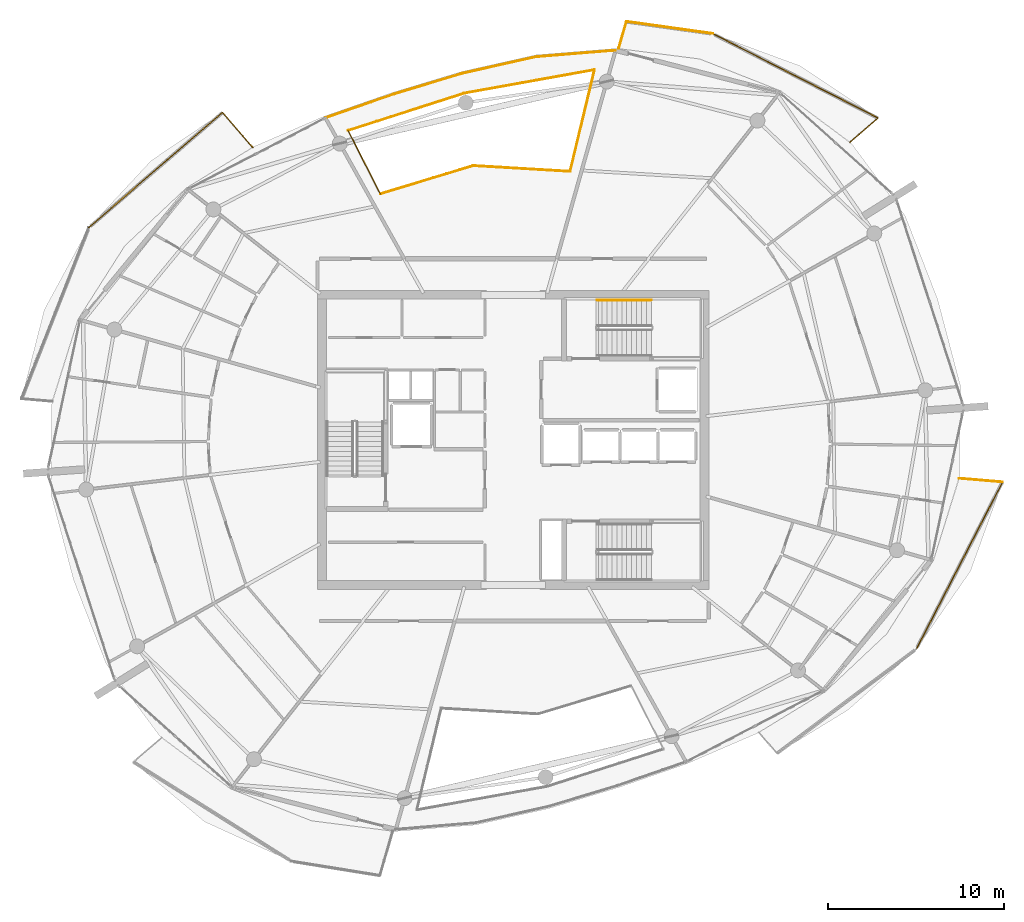
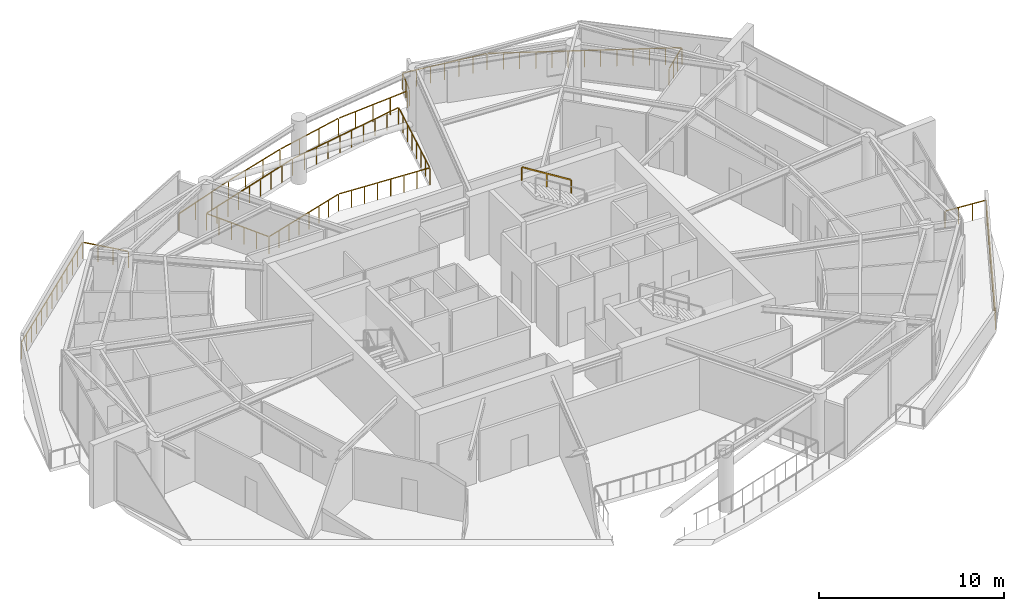
# One storey, part 22 of 22: 16 railings.
"""IFC4 building model written with IfcOpenShell, lengths in metres."""

from ifc_helpers import new_model, si_unit, direction, frame, origin, origin_2d, place, context, subcontext, project, spatial, rectangle, extrude, material, type_object, element, save


model = new_model("IFC4")

# Units and contexts
model_context = context("Model", 3, precision=1e-05, world=origin(), true_north=direction((0.0, 1.0)))
body_context = subcontext(model_context, "Body", "Model", "MODEL_VIEW")
ifc_project = project(units=[si_unit("LENGTHUNIT", "METRE"), si_unit("AREAUNIT", "SQUARE_METRE"), si_unit("VOLUMEUNIT", "CUBIC_METRE"), si_unit("PLANEANGLEUNIT", "RADIAN"), si_unit("MASSUNIT", "GRAM", prefix="KILO")], contexts=[model_context])

# Site, building, storey
site_placement = place(None, origin())
site = spatial("IfcSite", under=ifc_project, at=site_placement, CompositionType="ELEMENT")
building_placement = place(site_placement, origin())
building = spatial("IfcBuilding", under=site, at=building_placement, Name="Kazma Halo Residences", CompositionType="ELEMENT")
storey_placement = place(building_placement, frame((0.0, 0.0, 334.699951171875)))
storey = spatial("IfcBuildingStorey", under=building, at=storey_placement, Name="L84", CompositionType="ELEMENT", Elevation=334.699951171875)

# Railings
ifc_material_1 = material(Name="Aluminium AW-6063 T6 Brushed Cap Rail", Category="aluminium")
railing_type_1 = type_object("IfcRailingType", Name="RLG-BAL-CAP-1120", PredefinedType="BALUSTRADE", material=ifc_material_1)
railing_1_placement = place(storey_placement, frame((67.578369140625, 58.929443359375, 0.0)))
element("IfcRailing", 1, at=railing_1_placement, inside=storey, type_object=railing_type_1, Name="L84 NE wave balcony guard 1", PredefinedType="BALUSTRADE", context=body_context, shape_type="SweptSolid", body=[
    extrude(rectangle(XDim=0.050048828125, YDim=0.050048828125, at=origin_2d()), frame((0.0322265625, 0.02783203125, 1.09521484375), z_axis=(0.756445254741, 0.654057013248, 0.0), x_axis=(-0.654057013248, 0.756445254741, 0.0)), (0.0, 0.0, 1.0), 2.022705078125),
    extrude(rectangle(XDim=0.0400390625, YDim=0.0400390625, at=origin_2d()), origin(), (0.0, 0.0, 1.0), 1.05810546875),
    extrude(rectangle(XDim=0.0400390625, YDim=0.0400390625, at=origin_2d()), frame((0.531494140625, 0.45947265625, 0.0)), (0.0, 0.0, 1.0), 1.05810546875),
    extrude(rectangle(XDim=0.0400390625, YDim=0.0400390625, at=origin_2d()), frame((1.06298828125, 0.919189453125, 0.0)), (0.0, 0.0, 1.0), 1.05810546875),
    extrude(rectangle(XDim=0.0400390625, YDim=0.0400390625, at=origin_2d()), frame((1.594482421875, 1.378662109375, 0.0)), (0.0, 0.0, 1.0), 1.05810546875),
])
railing_2_placement = place(storey_placement, frame((69.1728515625, 60.30810546875, 0.0)))
element("IfcRailing", 2, at=railing_2_placement, inside=storey, type_object=railing_type_1, Name="L84 NE wave balcony guard 2", PredefinedType="BALUSTRADE", context=body_context, shape_type="SweptSolid", body=[
    extrude(rectangle(XDim=0.050048828125, YDim=0.050048828125, at=origin_2d()), frame((-0.037841796875, 0.019287109375, 1.09521484375), z_axis=(-0.890671641326, 0.45464714597, 0.0), x_axis=(-0.45464714597, -0.890671641326, 0.0)), (0.0, 0.0, 1.0), 10.46826171875),
    extrude(rectangle(XDim=0.0400390625, YDim=0.0400390625, at=origin_2d()), origin(), (0.0, 0.0, 1.0), 1.05810546875),
    extrude(rectangle(XDim=0.0400390625, YDim=0.0400390625, at=origin_2d()), frame((-0.783203125, 0.39990234375, 0.0)), (0.0, 0.0, 1.0), 1.05810546875),
    extrude(rectangle(XDim=0.0400390625, YDim=0.0400390625, at=origin_2d()), frame((-1.566650390625, 0.7998046875, 0.0)), (0.0, 0.0, 1.0), 1.05810546875),
    extrude(rectangle(XDim=0.0400390625, YDim=0.0400390625, at=origin_2d()), frame((-2.349853515625, 1.199462890625, 0.0)), (0.0, 0.0, 1.0), 1.05810546875),
    extrude(rectangle(XDim=0.0400390625, YDim=0.0400390625, at=origin_2d()), frame((-3.13330078125, 1.599365234375, 0.0)), (0.0, 0.0, 1.0), 1.05810546875),
    extrude(rectangle(XDim=0.0400390625, YDim=0.0400390625, at=origin_2d()), frame((-3.91650390625, 1.999267578125, 0.0)), (0.0, 0.0, 1.0), 1.05810546875),
    extrude(rectangle(XDim=0.0400390625, YDim=0.0400390625, at=origin_2d()), frame((-4.69970703125, 2.39892578125, 0.0)), (0.0, 0.0, 1.0), 1.05810546875),
    extrude(rectangle(XDim=0.0400390625, YDim=0.0400390625, at=origin_2d()), frame((-5.483154296875, 2.798828125, 0.0)), (0.0, 0.0, 1.0), 1.05810546875),
    extrude(rectangle(XDim=0.0400390625, YDim=0.0400390625, at=origin_2d()), frame((-6.266357421875, 3.19873046875, 0.0)), (0.0, 0.0, 1.0), 1.05810546875),
    extrude(rectangle(XDim=0.0400390625, YDim=0.0400390625, at=origin_2d()), frame((-7.0498046875, 3.5986328125, 0.0)), (0.0, 0.0, 1.0), 1.05810546875),
    extrude(rectangle(XDim=0.0400390625, YDim=0.0400390625, at=origin_2d()), frame((-7.8330078125, 3.99853515625, 0.0)), (0.0, 0.0, 1.0), 1.05810546875),
    extrude(rectangle(XDim=0.0400390625, YDim=0.0400390625, at=origin_2d()), frame((-8.616455078125, 4.398193359375, 0.0)), (0.0, 0.0, 1.0), 1.05810546875),
    extrude(rectangle(XDim=0.0400390625, YDim=0.0400390625, at=origin_2d()), frame((-9.399658203125, 4.798095703125, 0.0)), (0.0, 0.0, 1.0), 1.05810546875),
])
railing_3_placement = place(storey_placement, frame((59.773193359375, 65.106201171875, 0.0)))
element("IfcRailing", 3, at=railing_3_placement, inside=storey, type_object=railing_type_1, Name="L84 NE wave balcony guard 3", PredefinedType="BALUSTRADE", context=body_context, shape_type="SweptSolid", body=[
    extrude(rectangle(XDim=0.050048828125, YDim=0.050048828125, at=origin_2d()), frame((-0.042236328125, 0.005859375, 1.09521484375), z_axis=(-0.990349595244, 0.138591771764, 0.0), x_axis=(-0.138591771764, -0.990349595244, 0.0)), (0.0, 0.0, 1.0), 4.868408203125),
    extrude(rectangle(XDim=0.0400390625, YDim=0.0400390625, at=origin_2d()), origin(), (0.0, 0.0, 1.0), 1.05810546875),
    extrude(rectangle(XDim=0.0400390625, YDim=0.0400390625, at=origin_2d()), frame((-0.817626953125, 0.114501953125, 0.0)), (0.0, 0.0, 1.0), 1.05810546875),
    extrude(rectangle(XDim=0.0400390625, YDim=0.0400390625, at=origin_2d()), frame((-1.63525390625, 0.228759765625, 0.0)), (0.0, 0.0, 1.0), 1.05810546875),
    extrude(rectangle(XDim=0.0400390625, YDim=0.0400390625, at=origin_2d()), frame((-2.452880859375, 0.34326171875, 0.0)), (0.0, 0.0, 1.0), 1.05810546875),
    extrude(rectangle(XDim=0.0400390625, YDim=0.0400390625, at=origin_2d()), frame((-3.2705078125, 0.457763671875, 0.0)), (0.0, 0.0, 1.0), 1.05810546875),
    extrude(rectangle(XDim=0.0400390625, YDim=0.0400390625, at=origin_2d()), frame((-4.088134765625, 0.572021484375, 0.0)), (0.0, 0.0, 1.0), 1.05810546875),
    extrude(rectangle(XDim=0.0400390625, YDim=0.0400390625, at=origin_2d()), frame((-4.90576171875, 0.6865234375, 0.0)), (0.0, 0.0, 1.0), 1.05810546875),
])
railing_4_placement = place(storey_placement, frame((54.867431640625, 65.792724609375, 0.0)))
element("IfcRailing", 4, at=railing_4_placement, inside=storey, type_object=railing_type_1, Name="L84 NE wave balcony guard 4", PredefinedType="BALUSTRADE", context=body_context, shape_type="SweptSolid", body=[
    extrude(rectangle(XDim=0.050048828125, YDim=0.050048828125, at=origin_2d()), frame((-0.01171875, -0.040771484375, 1.09521484375), z_axis=(-0.277317632094, -0.960778294369, 0.0), x_axis=(0.960778294369, -0.277317632094, 0.0)), (0.0, 0.0, 1.0), 1.516357421875),
    extrude(rectangle(XDim=0.0400390625, YDim=0.0400390625, at=origin_2d()), origin(), (0.0, 0.0, 1.0), 1.05810546875),
    extrude(rectangle(XDim=0.0400390625, YDim=0.0400390625, at=origin_2d()), frame((-0.22216796875, -0.769287109375, 0.0)), (0.0, 0.0, 1.0), 1.05810546875),
    extrude(rectangle(XDim=0.0400390625, YDim=0.0400390625, at=origin_2d()), frame((-0.444091796875, -1.53857421875, 0.0)), (0.0, 0.0, 1.0), 1.05810546875),
])
railing_5_placement = place(storey_placement, frame((33.61181640625, 58.639404296875, 0.0)))
element("IfcRailing", 5, at=railing_5_placement, inside=storey, type_object=railing_type_1, Name="L84 NW wave balcony guard 1", PredefinedType="BALUSTRADE", context=body_context, shape_type="SweptSolid", body=[
    extrude(rectangle(XDim=0.050048828125, YDim=0.050048828125, at=origin_2d()), frame((-0.02783203125, 0.0322265625, 1.09521484375), z_axis=(-0.654067186759, 0.756436458142, 0.0), x_axis=(-0.756436458142, -0.654067186759, 0.0)), (0.0, 0.0, 1.0), 2.54296875),
    extrude(rectangle(XDim=0.0400390625, YDim=0.0400390625, at=origin_2d()), origin(), (0.0, 0.0, 1.0), 1.05810546875),
    extrude(rectangle(XDim=0.0400390625, YDim=0.0400390625, at=origin_2d()), frame((-0.572998046875, 0.66259765625, 0.0)), (0.0, 0.0, 1.0), 1.05810546875),
    extrude(rectangle(XDim=0.0400390625, YDim=0.0400390625, at=origin_2d()), frame((-1.14599609375, 1.325439453125, 0.0)), (0.0, 0.0, 1.0), 1.05810546875),
    extrude(rectangle(XDim=0.0400390625, YDim=0.0400390625, at=origin_2d()), frame((-1.718994140625, 1.988037109375, 0.0)), (0.0, 0.0, 1.0), 1.05810546875),
])
railing_6_placement = place(storey_placement, frame((31.892822265625, 60.62744140625, 0.0)))
element("IfcRailing", 6, at=railing_6_placement, inside=storey, type_object=railing_type_1, Name="L84 NW wave balcony guard 2", PredefinedType="BALUSTRADE", context=body_context, shape_type="SweptSolid", body=[
    extrude(rectangle(XDim=0.050048828125, YDim=0.050048828125, at=origin_2d()), frame((-0.0322265625, -0.02783203125, 1.09521484375), z_axis=(-0.757877408463, -0.652396990905, 0.0), x_axis=(0.652396990905, -0.757877408463, 0.0)), (0.0, 0.0, 1.0), 9.948486328125),
    extrude(rectangle(XDim=0.0400390625, YDim=0.0400390625, at=origin_2d()), origin(), (0.0, 0.0, 1.0), 1.05810546875),
    extrude(rectangle(XDim=0.0400390625, YDim=0.0400390625, at=origin_2d()), frame((-0.6337890625, -0.54541015625, 0.0)), (0.0, 0.0, 1.0), 1.05810546875),
    extrude(rectangle(XDim=0.0400390625, YDim=0.0400390625, at=origin_2d()), frame((-1.267333984375, -1.091064453125, 0.0)), (0.0, 0.0, 1.0), 1.05810546875),
    extrude(rectangle(XDim=0.0400390625, YDim=0.0400390625, at=origin_2d()), frame((-1.901123046875, -1.636474609375, 0.0)), (0.0, 0.0, 1.0), 1.05810546875),
    extrude(rectangle(XDim=0.0400390625, YDim=0.0400390625, at=origin_2d()), frame((-2.53466796875, -2.181884765625, 0.0)), (0.0, 0.0, 1.0), 1.05810546875),
    extrude(rectangle(XDim=0.0400390625, YDim=0.0400390625, at=origin_2d()), frame((-3.16845703125, -2.7275390625, 0.0)), (0.0, 0.0, 1.0), 1.05810546875),
    extrude(rectangle(XDim=0.0400390625, YDim=0.0400390625, at=origin_2d()), frame((-3.80224609375, -3.27294921875, 0.0)), (0.0, 0.0, 1.0), 1.05810546875),
    extrude(rectangle(XDim=0.0400390625, YDim=0.0400390625, at=origin_2d()), frame((-4.435791015625, -3.818359375, 0.0)), (0.0, 0.0, 1.0), 1.05810546875),
    extrude(rectangle(XDim=0.0400390625, YDim=0.0400390625, at=origin_2d()), frame((-5.069580078125, -4.364013671875, 0.0)), (0.0, 0.0, 1.0), 1.05810546875),
    extrude(rectangle(XDim=0.0400390625, YDim=0.0400390625, at=origin_2d()), frame((-5.703125, -4.909423828125, 0.0)), (0.0, 0.0, 1.0), 1.05810546875),
    extrude(rectangle(XDim=0.0400390625, YDim=0.0400390625, at=origin_2d()), frame((-6.3369140625, -5.454833984375, 0.0)), (0.0, 0.0, 1.0), 1.05810546875),
    extrude(rectangle(XDim=0.0400390625, YDim=0.0400390625, at=origin_2d()), frame((-6.970458984375, -6.00048828125, 0.0)), (0.0, 0.0, 1.0), 1.05810546875),
    extrude(rectangle(XDim=0.0400390625, YDim=0.0400390625, at=origin_2d()), frame((-7.604248046875, -6.5458984375, 0.0)), (0.0, 0.0, 1.0), 1.05810546875),
])
railing_7_placement = place(storey_placement, frame((71.356689453125, 30.09912109375, 0.0)))
element("IfcRailing", 7, at=railing_7_placement, inside=storey, type_object=railing_type_1, Name="L84 SE wave balcony guard 3", PredefinedType="BALUSTRADE", context=body_context, shape_type="SweptSolid", body=[
    extrude(rectangle(XDim=0.050048828125, YDim=0.050048828125, at=origin_2d()), frame((0.01953125, 0.037841796875, 1.09521484375), z_axis=(0.458502172926, 0.888693286473, 0.0), x_axis=(-0.888693286473, 0.458502172926, 0.0)), (0.0, 0.0, 1.0), 10.608154296875),
    extrude(rectangle(XDim=0.0400390625, YDim=0.0400390625, at=origin_2d()), origin(), (0.0, 0.0, 1.0), 1.05810546875),
    extrude(rectangle(XDim=0.0400390625, YDim=0.0400390625, at=origin_2d()), frame((0.40869140625, 0.7919921875, 0.0)), (0.0, 0.0, 1.0), 1.05810546875),
    extrude(rectangle(XDim=0.0400390625, YDim=0.0400390625, at=origin_2d()), frame((0.817138671875, 1.583740234375, 0.0)), (0.0, 0.0, 1.0), 1.05810546875),
    extrude(rectangle(XDim=0.0400390625, YDim=0.0400390625, at=origin_2d()), frame((1.2255859375, 2.375732421875, 0.0)), (0.0, 0.0, 1.0), 1.05810546875),
    extrude(rectangle(XDim=0.0400390625, YDim=0.0400390625, at=origin_2d()), frame((1.63427734375, 3.167724609375, 0.0)), (0.0, 0.0, 1.0), 1.05810546875),
    extrude(rectangle(XDim=0.0400390625, YDim=0.0400390625, at=origin_2d()), frame((2.04296875, 3.95947265625, 0.0)), (0.0, 0.0, 1.0), 1.05810546875),
    extrude(rectangle(XDim=0.0400390625, YDim=0.0400390625, at=origin_2d()), frame((2.451416015625, 4.75146484375, 0.0)), (0.0, 0.0, 1.0), 1.05810546875),
    extrude(rectangle(XDim=0.0400390625, YDim=0.0400390625, at=origin_2d()), frame((2.85986328125, 5.54345703125, 0.0)), (0.0, 0.0, 1.0), 1.05810546875),
    extrude(rectangle(XDim=0.0400390625, YDim=0.0400390625, at=origin_2d()), frame((3.2685546875, 6.335205078125, 0.0)), (0.0, 0.0, 1.0), 1.05810546875),
    extrude(rectangle(XDim=0.0400390625, YDim=0.0400390625, at=origin_2d()), frame((3.67724609375, 7.127197265625, 0.0)), (0.0, 0.0, 1.0), 1.05810546875),
    extrude(rectangle(XDim=0.0400390625, YDim=0.0400390625, at=origin_2d()), frame((4.085693359375, 7.919189453125, 0.0)), (0.0, 0.0, 1.0), 1.05810546875),
    extrude(rectangle(XDim=0.0400390625, YDim=0.0400390625, at=origin_2d()), frame((4.494140625, 8.7109375, 0.0)), (0.0, 0.0, 1.0), 1.05810546875),
    extrude(rectangle(XDim=0.0400390625, YDim=0.0400390625, at=origin_2d()), frame((4.90283203125, 9.5029296875, 0.0)), (0.0, 0.0, 1.0), 1.05810546875),
])
railing_8_placement = place(storey_placement, frame((76.259521484375, 39.60205078125, 0.0)))
element("IfcRailing", 8, at=railing_8_placement, inside=storey, type_object=railing_type_1, Name="L84 SE wave balcony guard 4", PredefinedType="BALUSTRADE", context=body_context, shape_type="SweptSolid", body=[
    extrude(rectangle(XDim=0.050048828125, YDim=0.050048828125, at=origin_2d()), frame((-0.04248046875, 0.003662109375, 1.09521484375), z_axis=(-0.996413397931, 0.084618794743, 0.0), x_axis=(-0.084618794743, -0.996413397931, 0.0)), (0.0, 0.0, 1.0), 2.393310546875),
    extrude(rectangle(XDim=0.0400390625, YDim=0.0400390625, at=origin_2d()), origin(), (0.0, 0.0, 1.0), 1.05810546875),
    extrude(rectangle(XDim=0.0400390625, YDim=0.0400390625, at=origin_2d()), frame((-0.8232421875, 0.06982421875, 0.0)), (0.0, 0.0, 1.0), 1.05810546875),
    extrude(rectangle(XDim=0.0400390625, YDim=0.0400390625, at=origin_2d()), frame((-1.646240234375, 0.139892578125, 0.0)), (0.0, 0.0, 1.0), 1.05810546875),
    extrude(rectangle(XDim=0.0400390625, YDim=0.0400390625, at=origin_2d()), frame((-2.469482421875, 0.209716796875, 0.0)), (0.0, 0.0, 1.0), 1.05810546875),
])
ifc_material_2 = material(Name="Brushed Stainless Steel and Laminated Glass", Category="steel")
railing_type_2 = type_object("IfcRailingType", Name="RLG-EXT-GUARD-1150", PredefinedType="GUARDRAIL", material=ifc_material_2)
railing_9_placement = place(storey_placement, frame((51.6650390625, 57.26611328125, 0.0)))
element("IfcRailing", 9, at=railing_9_placement, inside=storey, type_object=railing_type_2, Name="L84 upper wind-portal edge guard 1.1", PredefinedType="GUARDRAIL", context=body_context, shape_type="SweptSolid", body=[
    extrude(rectangle(XDim=0.050048828125, YDim=0.050048828125, at=origin_2d()), frame((-0.04248046875, 0.00244140625, 1.125), z_axis=(-0.998263068552, 0.058913886013, 0.0), x_axis=(-0.058913886013, -0.998263068552, 0.0)), (0.0, 0.0, 1.0), 5.434814453125),
    extrude(rectangle(XDim=0.0400390625, YDim=0.0400390625, at=origin_2d()), origin(), (0.0, 0.0, 1.0), 1.087890625),
    extrude(rectangle(XDim=0.0400390625, YDim=0.0400390625, at=origin_2d()), frame((-0.787109375, 0.04638671875, 0.0)), (0.0, 0.0, 1.0), 1.087890625),
    extrude(rectangle(XDim=0.0400390625, YDim=0.0400390625, at=origin_2d()), frame((-1.574462890625, 0.093017578125, 0.0)), (0.0, 0.0, 1.0), 1.087890625),
    extrude(rectangle(XDim=0.0400390625, YDim=0.0400390625, at=origin_2d()), frame((-2.361572265625, 0.139404296875, 0.0)), (0.0, 0.0, 1.0), 1.087890625),
    extrude(rectangle(XDim=0.0400390625, YDim=0.0400390625, at=origin_2d()), frame((-3.148681640625, 0.185791015625, 0.0)), (0.0, 0.0, 1.0), 1.087890625),
    extrude(rectangle(XDim=0.0400390625, YDim=0.0400390625, at=origin_2d()), frame((-3.935791015625, 0.232177734375, 0.0)), (0.0, 0.0, 1.0), 1.087890625),
    extrude(rectangle(XDim=0.0400390625, YDim=0.0400390625, at=origin_2d()), frame((-4.72314453125, 0.27880859375, 0.0)), (0.0, 0.0, 1.0), 1.087890625),
    extrude(rectangle(XDim=0.0400390625, YDim=0.0400390625, at=origin_2d()), frame((-5.51025390625, 0.3251953125, 0.0)), (0.0, 0.0, 1.0), 1.087890625),
])
railing_10_placement = place(storey_placement, frame((46.15478515625, 57.59130859375, 0.0)))
element("IfcRailing", 10, at=railing_10_placement, inside=storey, type_object=railing_type_2, Name="L84 upper wind-portal edge guard 1.2", PredefinedType="GUARDRAIL", context=body_context, shape_type="SweptSolid", body=[
    extrude(rectangle(XDim=0.050048828125, YDim=0.050048828125, at=origin_2d()), frame((-0.040771484375, -0.012451171875, 1.125), z_axis=(-0.956934342561, -0.290304433358, 0.0), x_axis=(0.290304433358, -0.956934342561, 0.0)), (0.0, 0.0, 1.0), 5.43505859375),
    extrude(rectangle(XDim=0.0400390625, YDim=0.0400390625, at=origin_2d()), origin(), (0.0, 0.0, 1.0), 1.087890625),
    extrude(rectangle(XDim=0.0400390625, YDim=0.0400390625, at=origin_2d()), frame((-0.754638671875, -0.22900390625, 0.0)), (0.0, 0.0, 1.0), 1.087890625),
    extrude(rectangle(XDim=0.0400390625, YDim=0.0400390625, at=origin_2d()), frame((-1.50927734375, -0.457763671875, 0.0)), (0.0, 0.0, 1.0), 1.087890625),
    extrude(rectangle(XDim=0.0400390625, YDim=0.0400390625, at=origin_2d()), frame((-2.263916015625, -0.686767578125, 0.0)), (0.0, 0.0, 1.0), 1.087890625),
    extrude(rectangle(XDim=0.0400390625, YDim=0.0400390625, at=origin_2d()), frame((-3.0185546875, -0.915771484375, 0.0)), (0.0, 0.0, 1.0), 1.087890625),
    extrude(rectangle(XDim=0.0400390625, YDim=0.0400390625, at=origin_2d()), frame((-3.773193359375, -1.144775390625, 0.0)), (0.0, 0.0, 1.0), 1.087890625),
    extrude(rectangle(XDim=0.0400390625, YDim=0.0400390625, at=origin_2d()), frame((-4.52783203125, -1.37353515625, 0.0)), (0.0, 0.0, 1.0), 1.087890625),
    extrude(rectangle(XDim=0.0400390625, YDim=0.0400390625, at=origin_2d()), frame((-5.282470703125, -1.6025390625, 0.0)), (0.0, 0.0, 1.0), 1.087890625),
])
railing_11_placement = place(storey_placement, frame((40.872314453125, 55.98876953125, 0.0)))
element("IfcRailing", 11, at=railing_11_placement, inside=storey, type_object=railing_type_2, Name="L84 upper wind-portal edge guard 1.3", PredefinedType="GUARDRAIL", context=body_context, shape_type="SweptSolid", body=[
    extrude(rectangle(XDim=0.050048828125, YDim=0.050048828125, at=origin_2d()), frame((-0.019287109375, 0.037841796875, 1.125), z_axis=(-0.453986372723, 0.891008626996, 0.0), x_axis=(-0.891008626996, -0.453986372723, 0.0)), (0.0, 0.0, 1.0), 3.958984375),
    extrude(rectangle(XDim=0.0400390625, YDim=0.0400390625, at=origin_2d()), origin(), (0.0, 0.0, 1.0), 1.087890625),
    extrude(rectangle(XDim=0.0400390625, YDim=0.0400390625, at=origin_2d()), frame((-0.3671875, 0.720703125, 0.0)), (0.0, 0.0, 1.0), 1.087890625),
    extrude(rectangle(XDim=0.0400390625, YDim=0.0400390625, at=origin_2d()), frame((-0.734375, 1.44140625, 0.0)), (0.0, 0.0, 1.0), 1.087890625),
    extrude(rectangle(XDim=0.0400390625, YDim=0.0400390625, at=origin_2d()), frame((-1.1015625, 2.161865234375, 0.0)), (0.0, 0.0, 1.0), 1.087890625),
    extrude(rectangle(XDim=0.0400390625, YDim=0.0400390625, at=origin_2d()), frame((-1.46875, 2.882568359375, 0.0)), (0.0, 0.0, 1.0), 1.087890625),
    extrude(rectangle(XDim=0.0400390625, YDim=0.0400390625, at=origin_2d()), frame((-1.8359375, 3.603271484375, 0.0)), (0.0, 0.0, 1.0), 1.087890625),
])
railing_12_placement = place(storey_placement, frame((39.036376953125, 59.592041015625, 0.0)))
element("IfcRailing", 12, at=railing_12_placement, inside=storey, type_object=railing_type_2, Name="L84 upper wind-portal edge guard 1.4", PredefinedType="GUARDRAIL", context=body_context, shape_type="SweptSolid", body=[
    extrude(rectangle(XDim=0.050048828125, YDim=0.050048828125, at=origin_2d()), frame((0.04052734375, 0.012939453125, 1.125), z_axis=(0.952165276882, 0.305583516407, 0.0), x_axis=(-0.305583516407, 0.952165276882, 0.0)), (0.0, 0.0, 1.0), 6.877685546875),
    extrude(rectangle(XDim=0.0400390625, YDim=0.0400390625, at=origin_2d()), origin(), (0.0, 0.0, 1.0), 1.087890625),
    extrude(rectangle(XDim=0.0400390625, YDim=0.0400390625, at=origin_2d()), frame((0.82861328125, 0.265869140625, 0.0)), (0.0, 0.0, 1.0), 1.087890625),
    extrude(rectangle(XDim=0.0400390625, YDim=0.0400390625, at=origin_2d()), frame((1.657470703125, 0.531982421875, 0.0)), (0.0, 0.0, 1.0), 1.087890625),
    extrude(rectangle(XDim=0.0400390625, YDim=0.0400390625, at=origin_2d()), frame((2.486083984375, 0.7978515625, 0.0)), (0.0, 0.0, 1.0), 1.087890625),
    extrude(rectangle(XDim=0.0400390625, YDim=0.0400390625, at=origin_2d()), frame((3.31494140625, 1.06396484375, 0.0)), (0.0, 0.0, 1.0), 1.087890625),
    extrude(rectangle(XDim=0.0400390625, YDim=0.0400390625, at=origin_2d()), frame((4.1435546875, 1.329833984375, 0.0)), (0.0, 0.0, 1.0), 1.087890625),
    extrude(rectangle(XDim=0.0400390625, YDim=0.0400390625, at=origin_2d()), frame((4.97216796875, 1.595703125, 0.0)), (0.0, 0.0, 1.0), 1.087890625),
    extrude(rectangle(XDim=0.0400390625, YDim=0.0400390625, at=origin_2d()), frame((5.801025390625, 1.86181640625, 0.0)), (0.0, 0.0, 1.0), 1.087890625),
    extrude(rectangle(XDim=0.0400390625, YDim=0.0400390625, at=origin_2d()), frame((6.629638671875, 2.127685546875, 0.0)), (0.0, 0.0, 1.0), 1.087890625),
])
railing_13_placement = place(storey_placement, frame((45.666015625, 61.7197265625, 0.0)))
element("IfcRailing", 13, at=railing_13_placement, inside=storey, type_object=railing_type_2, Name="L84 upper wind-portal edge guard 1.5", PredefinedType="GUARDRAIL", context=body_context, shape_type="SweptSolid", body=[
    extrude(rectangle(XDim=0.050048828125, YDim=0.050048828125, at=origin_2d()), frame((0.0419921875, 0.007568359375, 1.125), z_axis=(0.984235798799, 0.176861223455, 0.0), x_axis=(-0.176861223455, 0.984235798799, 0.0)), (0.0, 0.0, 1.0), 7.420166015625),
    extrude(rectangle(XDim=0.0400390625, YDim=0.0400390625, at=origin_2d()), origin(), (0.0, 0.0, 1.0), 1.087890625),
    extrude(rectangle(XDim=0.0400390625, YDim=0.0400390625, at=origin_2d()), frame((0.82080078125, 0.1474609375, 0.0)), (0.0, 0.0, 1.0), 1.087890625),
    extrude(rectangle(XDim=0.0400390625, YDim=0.0400390625, at=origin_2d()), frame((1.6416015625, 0.294921875, 0.0)), (0.0, 0.0, 1.0), 1.087890625),
    extrude(rectangle(XDim=0.0400390625, YDim=0.0400390625, at=origin_2d()), frame((2.46240234375, 0.4423828125, 0.0)), (0.0, 0.0, 1.0), 1.087890625),
    extrude(rectangle(XDim=0.0400390625, YDim=0.0400390625, at=origin_2d()), frame((3.283203125, 0.58984375, 0.0)), (0.0, 0.0, 1.0), 1.087890625),
    extrude(rectangle(XDim=0.0400390625, YDim=0.0400390625, at=origin_2d()), frame((4.103759765625, 0.737548828125, 0.0)), (0.0, 0.0, 1.0), 1.087890625),
    extrude(rectangle(XDim=0.0400390625, YDim=0.0400390625, at=origin_2d()), frame((4.924560546875, 0.885009765625, 0.0)), (0.0, 0.0, 1.0), 1.087890625),
    extrude(rectangle(XDim=0.0400390625, YDim=0.0400390625, at=origin_2d()), frame((5.745361328125, 1.032470703125, 0.0)), (0.0, 0.0, 1.0), 1.087890625),
    extrude(rectangle(XDim=0.0400390625, YDim=0.0400390625, at=origin_2d()), frame((6.566162109375, 1.179931640625, 0.0)), (0.0, 0.0, 1.0), 1.087890625),
    extrude(rectangle(XDim=0.0400390625, YDim=0.0400390625, at=origin_2d()), frame((7.386962890625, 1.327392578125, 0.0)), (0.0, 0.0, 1.0), 1.087890625),
])
railing_14_placement = place(storey_placement, frame((53.052978515625, 63.047119140625, 0.0)))
element("IfcRailing", 14, at=railing_14_placement, inside=storey, type_object=railing_type_2, Name="L84 upper wind-portal edge guard 1.6", PredefinedType="GUARDRAIL", context=body_context, shape_type="SweptSolid", body=[
    extrude(rectangle(XDim=0.050048828125, YDim=0.050048828125, at=origin_2d()), frame((-0.010009765625, -0.041259765625, 1.125), z_axis=(-0.233452160997, -0.972368288523, 0.0), x_axis=(0.972368288523, -0.233452160997, 0.0)), (0.0, 0.0, 1.0), 5.860107421875),
    extrude(rectangle(XDim=0.0400390625, YDim=0.0400390625, at=origin_2d()), origin(), (0.0, 0.0, 1.0), 1.087890625),
    extrude(rectangle(XDim=0.0400390625, YDim=0.0400390625, at=origin_2d()), frame((-0.1982421875, -0.825927734375, 0.0)), (0.0, 0.0, 1.0), 1.087890625),
    extrude(rectangle(XDim=0.0400390625, YDim=0.0400390625, at=origin_2d()), frame((-0.396484375, -1.651611328125, 0.0)), (0.0, 0.0, 1.0), 1.087890625),
    extrude(rectangle(XDim=0.0400390625, YDim=0.0400390625, at=origin_2d()), frame((-0.5947265625, -2.4775390625, 0.0)), (0.0, 0.0, 1.0), 1.087890625),
    extrude(rectangle(XDim=0.0400390625, YDim=0.0400390625, at=origin_2d()), frame((-0.793212890625, -3.303466796875, 0.0)), (0.0, 0.0, 1.0), 1.087890625),
    extrude(rectangle(XDim=0.0400390625, YDim=0.0400390625, at=origin_2d()), frame((-0.991455078125, -4.12939453125, 0.0)), (0.0, 0.0, 1.0), 1.087890625),
    extrude(rectangle(XDim=0.0400390625, YDim=0.0400390625, at=origin_2d()), frame((-1.189697265625, -4.955078125, 0.0)), (0.0, 0.0, 1.0), 1.087890625),
    extrude(rectangle(XDim=0.0400390625, YDim=0.0400390625, at=origin_2d()), frame((-1.387939453125, -5.781005859375, 0.0)), (0.0, 0.0, 1.0), 1.087890625),
])
railing_15_placement = place(storey_placement, frame((54.248046875, 64.15380859375, 0.0)))
element("IfcRailing", 15, at=railing_15_placement, inside=storey, type_object=railing_type_2, Name="L84 upper wind-portal outer rim guard 1", PredefinedType="GUARDRAIL", context=body_context, shape_type="SweptSolid", body=[
    extrude(rectangle(XDim=0.050048828125, YDim=0.050048828125, at=origin_2d()), frame((-0.04248046875, -0.00341796875, 1.125), z_axis=(-0.996709972845, -0.081050786741, 0.0), x_axis=(0.081050786741, -0.996709972845, 0.0)), (0.0, 0.0, 1.0), 4.46337890625),
    extrude(rectangle(XDim=0.050048828125, YDim=0.050048828125, at=origin_2d()), frame((-4.574951171875, -0.3779296875, 1.125), z_axis=(-0.975482432849, -0.220077311878, 0.0), x_axis=(0.220077311878, -0.975482432849, 0.0)), (0.0, 0.0, 1.0), 4.201416015625),
    extrude(rectangle(XDim=0.050048828125, YDim=0.050048828125, at=origin_2d()), frame((-8.755615234375, -1.32421875, 1.125), z_axis=(-0.957126127976, -0.289671495225, 0.0), x_axis=(0.289671495225, -0.957126127976, 0.0)), (0.0, 0.0, 1.0), 4.01025390625),
    extrude(rectangle(XDim=0.050048828125, YDim=0.050048828125, at=origin_2d()), frame((-12.6748046875, -2.51220703125, 1.125), z_axis=(-0.944594872531, -0.328238521184, 0.0), x_axis=(0.328238521184, -0.944594872531, 0.0)), (0.0, 0.0, 1.0), 4.01025390625),
    extrude(rectangle(XDim=0.0400390625, YDim=0.0400390625, at=origin_2d()), origin(), (0.0, 0.0, 1.0), 1.087890625),
    extrude(rectangle(XDim=0.0400390625, YDim=0.0400390625, at=origin_2d()), frame((-1.13330078125, -0.09228515625, 0.0)), (0.0, 0.0, 1.0), 1.087890625),
    extrude(rectangle(XDim=0.0400390625, YDim=0.0400390625, at=origin_2d()), frame((-2.2666015625, -0.184326171875, 0.0)), (0.0, 0.0, 1.0), 1.087890625),
    extrude(rectangle(XDim=0.0400390625, YDim=0.0400390625, at=origin_2d()), frame((-3.400146484375, -0.2763671875, 0.0)), (0.0, 0.0, 1.0), 1.087890625),
    extrude(rectangle(XDim=0.0400390625, YDim=0.0400390625, at=origin_2d()), frame((-4.533447265625, -0.36865234375, 0.0)), (0.0, 0.0, 1.0), 1.087890625),
    extrude(rectangle(XDim=0.0400390625, YDim=0.0400390625, at=origin_2d()), frame((-5.92724609375, -0.68310546875, 0.0)), (0.0, 0.0, 1.0), 1.087890625),
    extrude(rectangle(XDim=0.0400390625, YDim=0.0400390625, at=origin_2d()), frame((-7.321044921875, -0.99755859375, 0.0)), (0.0, 0.0, 1.0), 1.087890625),
    extrude(rectangle(XDim=0.0400390625, YDim=0.0400390625, at=origin_2d()), frame((-8.71484375, -1.31201171875, 0.0)), (0.0, 0.0, 1.0), 1.087890625),
    extrude(rectangle(XDim=0.0400390625, YDim=0.0400390625, at=origin_2d()), frame((-10.021484375, -1.70751953125, 0.0)), (0.0, 0.0, 1.0), 1.087890625),
    extrude(rectangle(XDim=0.0400390625, YDim=0.0400390625, at=origin_2d()), frame((-11.327880859375, -2.102783203125, 0.0)), (0.0, 0.0, 1.0), 1.087890625),
    extrude(rectangle(XDim=0.0400390625, YDim=0.0400390625, at=origin_2d()), frame((-12.634521484375, -2.498291015625, 0.0)), (0.0, 0.0, 1.0), 1.087890625),
    extrude(rectangle(XDim=0.0400390625, YDim=0.0400390625, at=origin_2d()), frame((-13.924072265625, -2.9462890625, 0.0)), (0.0, 0.0, 1.0), 1.087890625),
    extrude(rectangle(XDim=0.0400390625, YDim=0.0400390625, at=origin_2d()), frame((-15.21337890625, -3.39453125, 0.0)), (0.0, 0.0, 1.0), 1.087890625),
    extrude(rectangle(XDim=0.0400390625, YDim=0.0400390625, at=origin_2d()), frame((-16.5029296875, -3.842529296875, 0.0)), (0.0, 0.0, 1.0), 1.087890625),
])
ifc_material_3 = material(Name="Brushed Stainless Steel", Category="steel")
railing_type_3 = type_object("IfcRailingType", Name="RLG-STAIR-HND-900", PredefinedType="HANDRAIL", material=ifc_material_3)
railing_16_placement = place(storey_placement, frame((56.280029296875, 49.949951171875, 2.275146484375)))
element("IfcRailing", 16, at=railing_16_placement, inside=storey, type_object=railing_type_3, Name="L84 ST-02 stair handrail 2", PredefinedType="HANDRAIL", context=body_context, shape_type="SweptSolid", body=[
    extrude(rectangle(XDim=0.050048828125, YDim=0.050048828125, at=origin_2d()), frame((-0.0361328125, 0.0, 0.8974609375), z_axis=(-0.848028513186, 0.0, 0.529950602248), x_axis=(0.0, -1.0, 0.0)), (0.0, 0.0, 1.0), 3.546875),
    extrude(rectangle(XDim=0.0400390625, YDim=0.0400390625, at=origin_2d()), origin(), (0.0, 0.0, 1.0), 0.837890625),
    extrude(rectangle(XDim=0.0400390625, YDim=0.0400390625, at=origin_2d()), frame((-1.5400390625, 0.0, 0.96240234375)), (0.0, 0.0, 1.0), 0.837890625),
    extrude(rectangle(XDim=0.0400390625, YDim=0.0400390625, at=origin_2d()), frame((-3.080078125, 0.0, 1.9248046875)), (0.0, 0.0, 1.0), 0.837890625),
])

save(model, "model.ifc")
